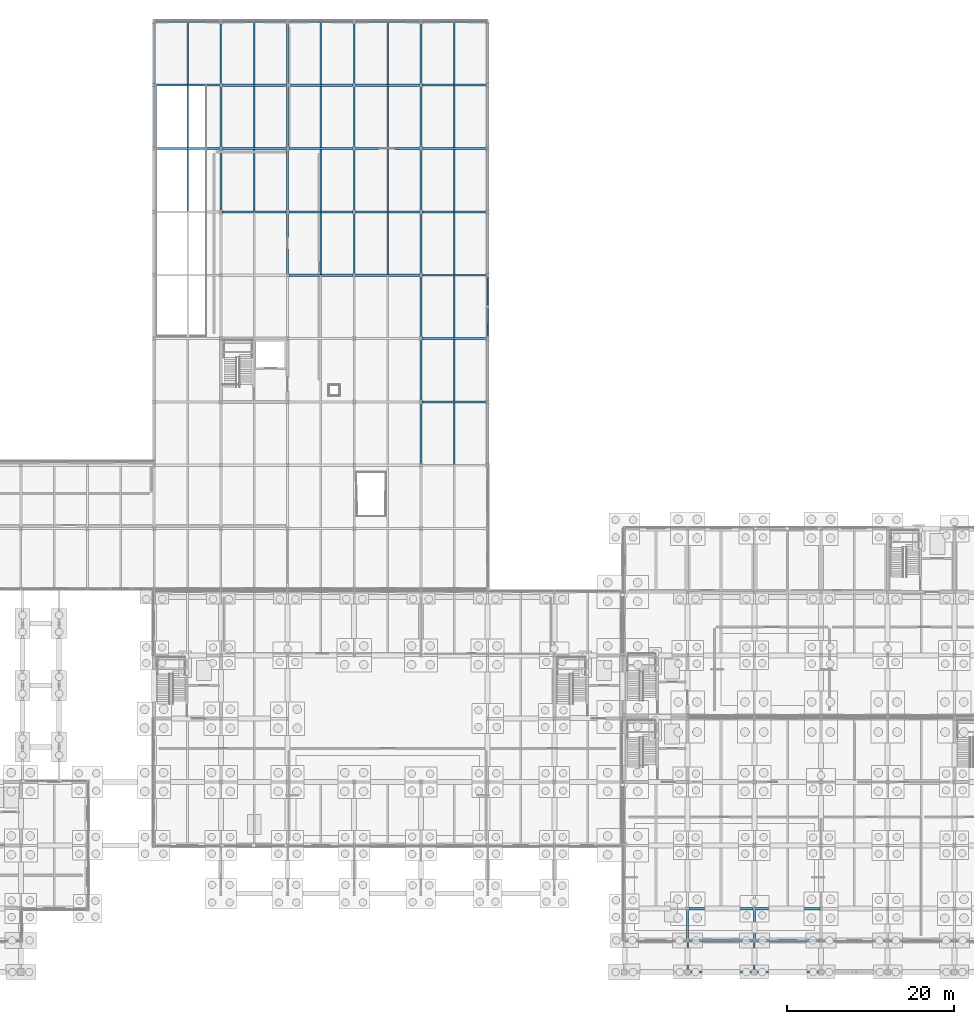
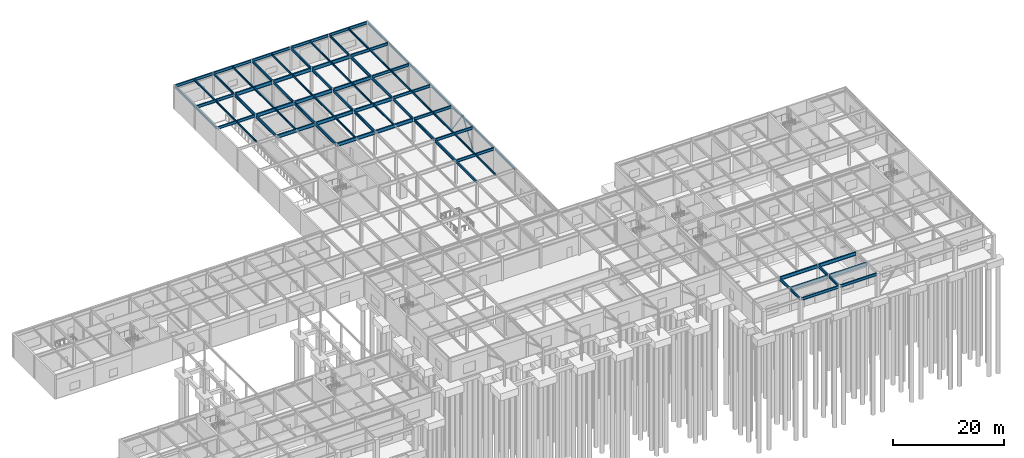
# One storey, part 32 of 62: 82 beams, 2 members.
"""IFC4 building model written with IfcOpenShell, lengths in metres."""

from ifc_helpers import new_model, si_unit, direction, frame, origin, origin_2d, place, context, subcontext, project, spatial, hollow_rectangle, i_section, extrude, material, material_profile, profile_set, type_object, element, save


model = new_model("IFC4")

# Units and contexts
model_context = context("Model", 3, precision=1e-05, world=origin(), true_north=direction((0.0, 1.0)))
body_context = subcontext(model_context, "Body", "Model", "MODEL_VIEW")
ifc_project = project(units=[si_unit("LENGTHUNIT", "METRE"), si_unit("AREAUNIT", "SQUARE_METRE"), si_unit("VOLUMEUNIT", "CUBIC_METRE"), si_unit("PLANEANGLEUNIT", "RADIAN"), si_unit("MASSUNIT", "GRAM", prefix="KILO")], contexts=[model_context])

# Site, building, storey
site_placement = place(None, origin())
site = spatial("IfcSite", under=ifc_project, at=site_placement, CompositionType="ELEMENT")
building_placement = place(site_placement, origin())
building = spatial("IfcBuilding", under=site, at=building_placement, Name="Zulena Civic Courthouse", CompositionType="ELEMENT")
storey_placement = place(building_placement, origin())
storey = spatial("IfcBuildingStorey", under=building, at=storey_placement, Name="L00", CompositionType="ELEMENT", Elevation=0.0)

# Members
ifc_material_1 = material(Name="Steel ASTM A500 Grade C", Category="steel")
ifc_material_profile_1 = material_profile(ifc_material_1, hollow_rectangle(XDim=0.10205078125, YDim=0.202880859375, WallThickness=0.0087890625, at=origin_2d()), Name="HSS8X4X3/8")
ifc_profile_set_1 = profile_set([ifc_material_profile_1], Name="Steel ASTM A500 Grade C")
member_type = type_object("IfcMemberType", Name="Brace_HSS8X4", PredefinedType="BRACE", material=ifc_profile_set_1)
for number, where, z_axis, x_axis, name in (
    (1, (108.0, 76.14990234375, 0.010009765625), (0.0, 0.572945911221, 0.819593181289), (-1.0, 0.0, 0.0), "brace:V5:L00:6:0"),
    (2, (108.0, 83.449951171875, 0.010009765625), (0.0, -0.572919810616, 0.819611426594), (1.0, 0.0, 0.0), "brace:V5:L00:6:1"),
):
    element("IfcMember", number, at=place(storey_placement, frame(where, z_axis=z_axis, x_axis=x_axis)), inside=storey, type_object=member_type, Name=name, PredefinedType="BRACE", context=body_context, shape_type="SweptSolid", body=[
        extrude(hollow_rectangle(XDim=0.10205078125, YDim=0.202880859375, WallThickness=0.0087890625, at=origin_2d()), origin(), (0.0, 0.0, 1.0), 6.283447265625),
    ])

# Beams
ifc_material_2 = material(Name="Steel ASTM A992 Grade 50", Category="steel")
ifc_material_profile_2 = material_profile(ifc_material_2, i_section(OverallWidth=0.22802734375, OverallDepth=0.60693359375, WebThickness=0.01123046875, FlangeThickness=0.017333984375, FilletRadius=0.0126953125, at=origin_2d()), Name="W24X76")
ifc_profile_set_2 = profile_set([ifc_material_profile_2], Name="Steel ASTM A992 Grade 50")
beam_type_1 = type_object("IfcBeamType", Name="Girder_W24X76", PredefinedType="BEAM", material=ifc_profile_set_2)
beam_1_placement = place(storey_placement, frame((76.0, 91.344970703125, 4.881591796875), z_axis=(0.0, 1.0, 0.0), x_axis=(-1.0, 0.0, 0.0)))
element("IfcBeam", 3, at=beam_1_placement, inside=storey, type_object=beam_type_1, Name="beam:Y:V5:L00:76.0:91.2_98.8", PredefinedType="BEAM", context=body_context, shape_type="SweptSolid", body=[
    extrude(i_section(OverallWidth=0.22802734375, OverallDepth=0.60693359375, WebThickness=0.01123046875, FlangeThickness=0.017333984375, FilletRadius=0.0126953125, at=origin_2d()), origin(), (0.0, 0.0, 1.0), 7.31005859375),
])
for number, where, z_axis, x_axis, name in (
    (4, (76.0, 98.945068359375, 4.881591796875), (0.0, 1.0, 0.0), (-1.0, 0.0, 0.0), "beam:Y:V5:L00:76.0:98.8_106.4"),
    (5, (84.0, 83.7451171875, 4.881591796875), (0.0, 1.0, 0.0), (-1.0, 0.0, 0.0), "beam:Y:V5:L00:84.0:83.6_91.2"),
):
    element("IfcBeam", number, at=place(storey_placement, frame(where, z_axis=z_axis, x_axis=x_axis)), inside=storey, type_object=beam_type_1, Name=name, PredefinedType="BEAM", context=body_context, shape_type="SweptSolid", body=[
        extrude(i_section(OverallWidth=0.22802734375, OverallDepth=0.60693359375, WebThickness=0.01123046875, FlangeThickness=0.017333984375, FilletRadius=0.0126953125, at=origin_2d()), origin(), (0.0, 0.0, 1.0), 7.309814453125),
    ])
beam_2_placement = place(storey_placement, frame((84.0, 91.344970703125, 4.881591796875), z_axis=(0.0, 1.0, 0.0), x_axis=(-1.0, 0.0, 0.0)))
element("IfcBeam", 6, at=beam_2_placement, inside=storey, type_object=beam_type_1, Name="beam:Y:V5:L00:84.0:91.2_98.8", PredefinedType="BEAM", context=body_context, shape_type="SweptSolid", body=[
    extrude(i_section(OverallWidth=0.22802734375, OverallDepth=0.60693359375, WebThickness=0.01123046875, FlangeThickness=0.017333984375, FilletRadius=0.0126953125, at=origin_2d()), origin(), (0.0, 0.0, 1.0), 7.31005859375),
])
for number, where, z_axis, x_axis, name in (
    (7, (84.0, 98.945068359375, 4.881591796875), (0.0, 1.0, 0.0), (-1.0, 0.0, 0.0), "beam:Y:V5:L00:84.0:98.8_106.4"),
    (8, (92.0, 83.7451171875, 4.881591796875), (0.0, 1.0, 0.0), (-1.0, 0.0, 0.0), "beam:Y:V5:L00:92.0:83.6_91.2"),
):
    element("IfcBeam", number, at=place(storey_placement, frame(where, z_axis=z_axis, x_axis=x_axis)), inside=storey, type_object=beam_type_1, Name=name, PredefinedType="BEAM", context=body_context, shape_type="SweptSolid", body=[
        extrude(i_section(OverallWidth=0.22802734375, OverallDepth=0.60693359375, WebThickness=0.01123046875, FlangeThickness=0.017333984375, FilletRadius=0.0126953125, at=origin_2d()), origin(), (0.0, 0.0, 1.0), 7.309814453125),
    ])
beam_3_placement = place(storey_placement, frame((92.0, 91.344970703125, 4.881591796875), z_axis=(0.0, 1.0, 0.0), x_axis=(-1.0, 0.0, 0.0)))
element("IfcBeam", 9, at=beam_3_placement, inside=storey, type_object=beam_type_1, Name="beam:Y:V5:L00:92.0:91.2_98.8", PredefinedType="BEAM", context=body_context, shape_type="SweptSolid", body=[
    extrude(i_section(OverallWidth=0.22802734375, OverallDepth=0.60693359375, WebThickness=0.01123046875, FlangeThickness=0.017333984375, FilletRadius=0.0126953125, at=origin_2d()), origin(), (0.0, 0.0, 1.0), 7.31005859375),
])
for number, where, z_axis, x_axis, name in (
    (10, (92.0, 98.945068359375, 4.881591796875), (0.0, 1.0, 0.0), (-1.0, 0.0, 0.0), "beam:Y:V5:L00:92.0:98.8_106.4"),
    (11, (100.0, 60.945068359375, 4.881591796875), (0.0, 1.0, 0.0), (-1.0, 0.0, 0.0), "beam:Y:V5:L00:100.0:60.8_68.4"),
):
    element("IfcBeam", number, at=place(storey_placement, frame(where, z_axis=z_axis, x_axis=x_axis)), inside=storey, type_object=beam_type_1, Name=name, PredefinedType="BEAM", context=body_context, shape_type="SweptSolid", body=[
        extrude(i_section(OverallWidth=0.22802734375, OverallDepth=0.60693359375, WebThickness=0.01123046875, FlangeThickness=0.017333984375, FilletRadius=0.0126953125, at=origin_2d()), origin(), (0.0, 0.0, 1.0), 7.309814453125),
    ])
for number, where, z_axis, x_axis, name in (
    (12, (100.0, 68.544921875, 4.881591796875), (0.0, 1.0, 0.0), (-1.0, 0.0, 0.0), "beam:Y:V5:L00:100.0:68.4_76.0"),
    (13, (100.0, 76.14501953125, 4.881591796875), (0.0, 1.0, 0.0), (-1.0, 0.0, 0.0), "beam:Y:V5:L00:100.0:76.0_83.6"),
):
    element("IfcBeam", number, at=place(storey_placement, frame(where, z_axis=z_axis, x_axis=x_axis)), inside=storey, type_object=beam_type_1, Name=name, PredefinedType="BEAM", context=body_context, shape_type="SweptSolid", body=[
        extrude(i_section(OverallWidth=0.22802734375, OverallDepth=0.60693359375, WebThickness=0.01123046875, FlangeThickness=0.017333984375, FilletRadius=0.0126953125, at=origin_2d()), origin(), (0.0, 0.0, 1.0), 7.31005859375),
    ])
beam_4_placement = place(storey_placement, frame((100.0, 83.7451171875, 4.881591796875), z_axis=(0.0, 1.0, 0.0), x_axis=(-1.0, 0.0, 0.0)))
element("IfcBeam", 14, at=beam_4_placement, inside=storey, type_object=beam_type_1, Name="beam:Y:V5:L00:100.0:83.6_91.2", PredefinedType="BEAM", context=body_context, shape_type="SweptSolid", body=[
    extrude(i_section(OverallWidth=0.22802734375, OverallDepth=0.60693359375, WebThickness=0.01123046875, FlangeThickness=0.017333984375, FilletRadius=0.0126953125, at=origin_2d()), origin(), (0.0, 0.0, 1.0), 7.309814453125),
])
beam_5_placement = place(storey_placement, frame((100.0, 91.344970703125, 4.881591796875), z_axis=(0.0, 1.0, 0.0), x_axis=(-1.0, 0.0, 0.0)))
element("IfcBeam", 15, at=beam_5_placement, inside=storey, type_object=beam_type_1, Name="beam:Y:V5:L00:100.0:91.2_98.8", PredefinedType="BEAM", context=body_context, shape_type="SweptSolid", body=[
    extrude(i_section(OverallWidth=0.22802734375, OverallDepth=0.60693359375, WebThickness=0.01123046875, FlangeThickness=0.017333984375, FilletRadius=0.0126953125, at=origin_2d()), origin(), (0.0, 0.0, 1.0), 7.31005859375),
])
beam_6_placement = place(storey_placement, frame((100.0, 98.945068359375, 4.881591796875), z_axis=(0.0, 1.0, 0.0), x_axis=(-1.0, 0.0, 0.0)))
element("IfcBeam", 16, at=beam_6_placement, inside=storey, type_object=beam_type_1, Name="beam:Y:V5:L00:100.0:98.8_106.4", PredefinedType="BEAM", context=body_context, shape_type="SweptSolid", body=[
    extrude(i_section(OverallWidth=0.22802734375, OverallDepth=0.60693359375, WebThickness=0.01123046875, FlangeThickness=0.017333984375, FilletRadius=0.0126953125, at=origin_2d()), origin(), (0.0, 0.0, 1.0), 7.309814453125),
])
ifc_material_profile_3 = material_profile(ifc_material_2, i_section(OverallWidth=0.22998046875, OverallDepth=0.616943359375, WebThickness=0.01318359375, FlangeThickness=0.022216796875, FilletRadius=0.0126953125, at=origin_2d()), Name="W24X94")
ifc_profile_set_3 = profile_set([ifc_material_profile_3], Name="Steel ASTM A992 Grade 50")
beam_type_2 = type_object("IfcBeamType", Name="Girder_W24X94", PredefinedType="BEAM", material=ifc_profile_set_3)
for number, where, z_axis, x_axis, name in (
    (17, (132.0, 3.945068359375, 4.87646484375), (0.0, 1.0, 0.0), (-1.0, 0.0, 0.0), "beam:Y:V1:L00:132.0:3.8_7.6"),
    (18, (140.0, 3.945068359375, 4.87646484375), (0.0, 1.0, 0.0), (-1.0, 0.0, 0.0), "beam:Y:V1:L00:140.0:3.8_7.6"),
):
    element("IfcBeam", number, at=place(storey_placement, frame(where, z_axis=z_axis, x_axis=x_axis)), inside=storey, type_object=beam_type_2, Name=name, PredefinedType="BEAM", context=body_context, shape_type="SweptSolid", body=[
        extrude(i_section(OverallWidth=0.22998046875, OverallDepth=0.616943359375, WebThickness=0.01318359375, FlangeThickness=0.022216796875, FilletRadius=0.0126953125, at=origin_2d()), origin(), (0.0, 0.0, 1.0), 3.510009765625),
    ])
ifc_material_profile_4 = material_profile(ifc_material_2, i_section(OverallWidth=0.26708984375, OverallDepth=0.761962890625, WebThickness=0.014404296875, FlangeThickness=0.021484375, FilletRadius=0.0166015625, at=origin_2d()), Name="W30X116")
ifc_profile_set_4 = profile_set([ifc_material_profile_4], Name="Steel ASTM A992 Grade 50")
beam_type_3 = type_object("IfcBeamType", Name="Girder_W30X116", PredefinedType="BEAM", material=ifc_profile_set_4)
for number, where, z_axis, x_axis, name in (
    (19, (84.14501953125, 83.60009765625, 4.803955078125), (1.0, 0.0, 0.0), (0.0, 1.0, 0.0), "beam:X:V5:L00:83.6:84.0_92.0"),
    (20, (92.14501953125, 83.60009765625, 4.803955078125), (1.0, 0.0, 0.0), (0.0, 1.0, 0.0), "beam:X:V5:L00:83.6:92.0_100.0"),
    (21, (76.14501953125, 91.199951171875, 4.803955078125), (1.0, 0.0, 0.0), (0.0, 1.0, 0.0), "beam:X:V5:L00:91.2:76.0_84.0"),
    (22, (84.14501953125, 91.199951171875, 4.803955078125), (1.0, 0.0, 0.0), (0.0, 1.0, 0.0), "beam:X:V5:L00:91.2:84.0_92.0"),
    (23, (92.14501953125, 91.199951171875, 4.803955078125), (1.0, 0.0, 0.0), (0.0, 1.0, 0.0), "beam:X:V5:L00:91.2:92.0_100.0"),
    (24, (76.14501953125, 98.800048828125, 4.803955078125), (1.0, 0.0, 0.0), (0.0, 1.0, 0.0), "beam:X:V5:L00:98.8:76.0_84.0"),
    (25, (84.14501953125, 98.800048828125, 4.803955078125), (1.0, 0.0, 0.0), (0.0, 1.0, 0.0), "beam:X:V5:L00:98.8:84.0_92.0"),
    (26, (92.14501953125, 98.800048828125, 4.803955078125), (1.0, 0.0, 0.0), (0.0, 1.0, 0.0), "beam:X:V5:L00:98.8:92.0_100.0"),
    (27, (76.14501953125, 106.39990234375, 4.803955078125), (1.0, 0.0, 0.0), (0.0, 1.0, 0.0), "beam:X:V5:L00:106.4:76.0_84.0"),
    (28, (84.14501953125, 106.39990234375, 4.803955078125), (1.0, 0.0, 0.0), (0.0, 1.0, 0.0), "beam:X:V5:L00:106.4:84.0_92.0"),
    (29, (92.14501953125, 106.39990234375, 4.803955078125), (1.0, 0.0, 0.0), (0.0, 1.0, 0.0), "beam:X:V5:L00:106.4:92.0_100.0"),
):
    element("IfcBeam", number, at=place(storey_placement, frame(where, z_axis=z_axis, x_axis=x_axis)), inside=storey, type_object=beam_type_3, Name=name, PredefinedType="BEAM", context=body_context, shape_type="SweptSolid", body=[
        extrude(i_section(OverallWidth=0.26708984375, OverallDepth=0.761962890625, WebThickness=0.014404296875, FlangeThickness=0.021484375, FilletRadius=0.0166015625, at=origin_2d()), origin(), (0.0, 0.0, 1.0), 7.7099609375),
    ])
ifc_material_profile_5 = material_profile(ifc_material_2, i_section(OverallWidth=0.26611328125, OverallDepth=0.779052734375, WebThickness=0.0166015625, FlangeThickness=0.030029296875, FilletRadius=0.0166015625, at=origin_2d()), Name="W30X148")
ifc_profile_set_5 = profile_set([ifc_material_profile_5], Name="Steel ASTM A992 Grade 50")
beam_type_4 = type_object("IfcBeamType", Name="Girder_W30X148", PredefinedType="BEAM", material=ifc_profile_set_5)
for number, where, z_axis, x_axis, name in (
    (30, (132.14501953125, 3.800048828125, 4.79541015625), (1.0, 0.0, 0.0), (0.0, 1.0, 0.0), "beam:X:V1:L00:3.8:132.0_140.0"),
    (31, (140.14501953125, 3.800048828125, 4.79541015625), (1.0, 0.0, 0.0), (0.0, 1.0, 0.0), "beam:X:V1:L00:3.8:140.0_148.0"),
    (32, (132.14501953125, 7.60009765625, 4.79541015625), (1.0, 0.0, 0.0), (0.0, 1.0, 0.0), "beam:X:V1:L00:7.6:132.0_140.0"),
    (33, (140.14501953125, 7.60009765625, 4.79541015625), (1.0, 0.0, 0.0), (0.0, 1.0, 0.0), "beam:X:V1:L00:7.6:140.0_148.0"),
):
    element("IfcBeam", number, at=place(storey_placement, frame(where, z_axis=z_axis, x_axis=x_axis)), inside=storey, type_object=beam_type_4, Name=name, PredefinedType="BEAM", context=body_context, shape_type="SweptSolid", body=[
        extrude(i_section(OverallWidth=0.26611328125, OverallDepth=0.779052734375, WebThickness=0.0166015625, FlangeThickness=0.030029296875, FilletRadius=0.0166015625, at=origin_2d()), origin(), (0.0, 0.0, 1.0), 7.7099609375),
    ])
ifc_material_profile_6 = material_profile(ifc_material_2, i_section(OverallWidth=0.180908203125, OverallDepth=0.4169921875, WebThickness=0.010986328125, FlangeThickness=0.018310546875, FilletRadius=0.01025390625, at=origin_2d()), Name="W16X57")
ifc_profile_set_6 = profile_set([ifc_material_profile_6], Name="Steel ASTM A992 Grade 50")
beam_type_5 = type_object("IfcBeamType", Name="Joist_W16X57", PredefinedType="JOIST", material=ifc_profile_set_6)
beam_7_placement = place(storey_placement, frame((72.0, 91.304931640625, 4.9765625), z_axis=(0.0, 1.0, 0.0), x_axis=(-1.0, 0.0, 0.0)))
element("IfcBeam", 34, at=beam_7_placement, inside=storey, type_object=beam_type_5, Name="joist:V5:L00:72.00:91.2_98.8", PredefinedType="JOIST", context=body_context, shape_type="SweptSolid", body=[
    extrude(i_section(OverallWidth=0.180908203125, OverallDepth=0.4169921875, WebThickness=0.010986328125, FlangeThickness=0.018310546875, FilletRadius=0.01025390625, at=origin_2d()), origin(), (0.0, 0.0, 1.0), 7.39013671875),
])
beam_8_placement = place(storey_placement, frame((72.0, 98.905029296875, 4.9765625), z_axis=(0.0, 1.0, 0.0), x_axis=(-1.0, 0.0, 0.0)))
element("IfcBeam", 35, at=beam_8_placement, inside=storey, type_object=beam_type_5, Name="joist:V5:L00:72.00:98.8_106.4", PredefinedType="JOIST", context=body_context, shape_type="SweptSolid", body=[
    extrude(i_section(OverallWidth=0.180908203125, OverallDepth=0.4169921875, WebThickness=0.010986328125, FlangeThickness=0.018310546875, FilletRadius=0.01025390625, at=origin_2d()), origin(), (0.0, 0.0, 1.0), 7.389892578125),
])
for number, where, z_axis, x_axis, name in (
    (36, (72.0, 106.5048828125, 4.9765625), (0.0, 1.0, 0.0), (-1.0, 0.0, 0.0), "joist:V5:L00:72.00:106.4_114.0"),
    (37, (80.0, 91.304931640625, 4.9765625), (0.0, 1.0, 0.0), (-1.0, 0.0, 0.0), "joist:V5:L00:80.00:91.2_98.8"),
):
    element("IfcBeam", number, at=place(storey_placement, frame(where, z_axis=z_axis, x_axis=x_axis)), inside=storey, type_object=beam_type_5, Name=name, PredefinedType="JOIST", context=body_context, shape_type="SweptSolid", body=[
        extrude(i_section(OverallWidth=0.180908203125, OverallDepth=0.4169921875, WebThickness=0.010986328125, FlangeThickness=0.018310546875, FilletRadius=0.01025390625, at=origin_2d()), origin(), (0.0, 0.0, 1.0), 7.39013671875),
    ])
beam_9_placement = place(storey_placement, frame((80.0, 98.905029296875, 4.9765625), z_axis=(0.0, 1.0, 0.0), x_axis=(-1.0, 0.0, 0.0)))
element("IfcBeam", 38, at=beam_9_placement, inside=storey, type_object=beam_type_5, Name="joist:V5:L00:80.00:98.8_106.4", PredefinedType="JOIST", context=body_context, shape_type="SweptSolid", body=[
    extrude(i_section(OverallWidth=0.180908203125, OverallDepth=0.4169921875, WebThickness=0.010986328125, FlangeThickness=0.018310546875, FilletRadius=0.01025390625, at=origin_2d()), origin(), (0.0, 0.0, 1.0), 7.389892578125),
])
beam_10_placement = place(storey_placement, frame((80.0, 106.5048828125, 4.9765625), z_axis=(0.0, 1.0, 0.0), x_axis=(-1.0, 0.0, 0.0)))
element("IfcBeam", 39, at=beam_10_placement, inside=storey, type_object=beam_type_5, Name="joist:V5:L00:80.00:106.4_114.0", PredefinedType="JOIST", context=body_context, shape_type="SweptSolid", body=[
    extrude(i_section(OverallWidth=0.180908203125, OverallDepth=0.4169921875, WebThickness=0.010986328125, FlangeThickness=0.018310546875, FilletRadius=0.01025390625, at=origin_2d()), origin(), (0.0, 0.0, 1.0), 7.39013671875),
])
beam_11_placement = place(storey_placement, frame((88.0, 83.705078125, 4.9765625), z_axis=(0.0, 1.0, 0.0), x_axis=(-1.0, 0.0, 0.0)))
element("IfcBeam", 40, at=beam_11_placement, inside=storey, type_object=beam_type_5, Name="joist:V5:L00:88.00:83.6_91.2", PredefinedType="JOIST", context=body_context, shape_type="SweptSolid", body=[
    extrude(i_section(OverallWidth=0.180908203125, OverallDepth=0.4169921875, WebThickness=0.010986328125, FlangeThickness=0.018310546875, FilletRadius=0.01025390625, at=origin_2d()), origin(), (0.0, 0.0, 1.0), 7.389892578125),
])
beam_12_placement = place(storey_placement, frame((88.0, 91.304931640625, 4.9765625), z_axis=(0.0, 1.0, 0.0), x_axis=(-1.0, 0.0, 0.0)))
element("IfcBeam", 41, at=beam_12_placement, inside=storey, type_object=beam_type_5, Name="joist:V5:L00:88.00:91.2_98.8", PredefinedType="JOIST", context=body_context, shape_type="SweptSolid", body=[
    extrude(i_section(OverallWidth=0.180908203125, OverallDepth=0.4169921875, WebThickness=0.010986328125, FlangeThickness=0.018310546875, FilletRadius=0.01025390625, at=origin_2d()), origin(), (0.0, 0.0, 1.0), 7.39013671875),
])
beam_13_placement = place(storey_placement, frame((88.0, 98.905029296875, 4.9765625), z_axis=(0.0, 1.0, 0.0), x_axis=(-1.0, 0.0, 0.0)))
element("IfcBeam", 42, at=beam_13_placement, inside=storey, type_object=beam_type_5, Name="joist:V5:L00:88.00:98.8_106.4", PredefinedType="JOIST", context=body_context, shape_type="SweptSolid", body=[
    extrude(i_section(OverallWidth=0.180908203125, OverallDepth=0.4169921875, WebThickness=0.010986328125, FlangeThickness=0.018310546875, FilletRadius=0.01025390625, at=origin_2d()), origin(), (0.0, 0.0, 1.0), 7.389892578125),
])
beam_14_placement = place(storey_placement, frame((88.0, 106.5048828125, 4.9765625), z_axis=(0.0, 1.0, 0.0), x_axis=(-1.0, 0.0, 0.0)))
element("IfcBeam", 43, at=beam_14_placement, inside=storey, type_object=beam_type_5, Name="joist:V5:L00:88.00:106.4_114.0", PredefinedType="JOIST", context=body_context, shape_type="SweptSolid", body=[
    extrude(i_section(OverallWidth=0.180908203125, OverallDepth=0.4169921875, WebThickness=0.010986328125, FlangeThickness=0.018310546875, FilletRadius=0.01025390625, at=origin_2d()), origin(), (0.0, 0.0, 1.0), 7.39013671875),
])
beam_15_placement = place(storey_placement, frame((96.0, 83.705078125, 4.9765625), z_axis=(0.0, 1.0, 0.0), x_axis=(-1.0, 0.0, 0.0)))
element("IfcBeam", 44, at=beam_15_placement, inside=storey, type_object=beam_type_5, Name="joist:V5:L00:96.00:83.6_91.2", PredefinedType="JOIST", context=body_context, shape_type="SweptSolid", body=[
    extrude(i_section(OverallWidth=0.180908203125, OverallDepth=0.4169921875, WebThickness=0.010986328125, FlangeThickness=0.018310546875, FilletRadius=0.01025390625, at=origin_2d()), origin(), (0.0, 0.0, 1.0), 7.389892578125),
])
beam_16_placement = place(storey_placement, frame((96.0, 91.304931640625, 4.9765625), z_axis=(0.0, 1.0, 0.0), x_axis=(-1.0, 0.0, 0.0)))
element("IfcBeam", 45, at=beam_16_placement, inside=storey, type_object=beam_type_5, Name="joist:V5:L00:96.00:91.2_98.8", PredefinedType="JOIST", context=body_context, shape_type="SweptSolid", body=[
    extrude(i_section(OverallWidth=0.180908203125, OverallDepth=0.4169921875, WebThickness=0.010986328125, FlangeThickness=0.018310546875, FilletRadius=0.01025390625, at=origin_2d()), origin(), (0.0, 0.0, 1.0), 7.39013671875),
])
beam_17_placement = place(storey_placement, frame((96.0, 98.905029296875, 4.9765625), z_axis=(0.0, 1.0, 0.0), x_axis=(-1.0, 0.0, 0.0)))
element("IfcBeam", 46, at=beam_17_placement, inside=storey, type_object=beam_type_5, Name="joist:V5:L00:96.00:98.8_106.4", PredefinedType="JOIST", context=body_context, shape_type="SweptSolid", body=[
    extrude(i_section(OverallWidth=0.180908203125, OverallDepth=0.4169921875, WebThickness=0.010986328125, FlangeThickness=0.018310546875, FilletRadius=0.01025390625, at=origin_2d()), origin(), (0.0, 0.0, 1.0), 7.389892578125),
])
beam_18_placement = place(storey_placement, frame((96.0, 106.5048828125, 4.9765625), z_axis=(0.0, 1.0, 0.0), x_axis=(-1.0, 0.0, 0.0)))
element("IfcBeam", 47, at=beam_18_placement, inside=storey, type_object=beam_type_5, Name="joist:V5:L00:96.00:106.4_114.0", PredefinedType="JOIST", context=body_context, shape_type="SweptSolid", body=[
    extrude(i_section(OverallWidth=0.180908203125, OverallDepth=0.4169921875, WebThickness=0.010986328125, FlangeThickness=0.018310546875, FilletRadius=0.01025390625, at=origin_2d()), origin(), (0.0, 0.0, 1.0), 7.39013671875),
])
beam_19_placement = place(storey_placement, frame((104.0, 60.905029296875, 4.9765625), z_axis=(0.0, 1.0, 0.0), x_axis=(-1.0, 0.0, 0.0)))
element("IfcBeam", 48, at=beam_19_placement, inside=storey, type_object=beam_type_5, Name="joist:V5:L00:104.00:60.8_68.4", PredefinedType="JOIST", context=body_context, shape_type="SweptSolid", body=[
    extrude(i_section(OverallWidth=0.180908203125, OverallDepth=0.4169921875, WebThickness=0.010986328125, FlangeThickness=0.018310546875, FilletRadius=0.01025390625, at=origin_2d()), origin(), (0.0, 0.0, 1.0), 7.389892578125),
])
for number, where, z_axis, x_axis, name in (
    (49, (104.0, 68.5048828125, 4.9765625), (0.0, 1.0, 0.0), (-1.0, 0.0, 0.0), "joist:V5:L00:104.00:68.4_76.0"),
    (50, (104.0, 76.10498046875, 4.9765625), (0.0, 1.0, 0.0), (-1.0, 0.0, 0.0), "joist:V5:L00:104.00:76.0_83.6"),
):
    element("IfcBeam", number, at=place(storey_placement, frame(where, z_axis=z_axis, x_axis=x_axis)), inside=storey, type_object=beam_type_5, Name=name, PredefinedType="JOIST", context=body_context, shape_type="SweptSolid", body=[
        extrude(i_section(OverallWidth=0.180908203125, OverallDepth=0.4169921875, WebThickness=0.010986328125, FlangeThickness=0.018310546875, FilletRadius=0.01025390625, at=origin_2d()), origin(), (0.0, 0.0, 1.0), 7.39013671875),
    ])
beam_20_placement = place(storey_placement, frame((104.0, 83.705078125, 4.9765625), z_axis=(0.0, 1.0, 0.0), x_axis=(-1.0, 0.0, 0.0)))
element("IfcBeam", 51, at=beam_20_placement, inside=storey, type_object=beam_type_5, Name="joist:V5:L00:104.00:83.6_91.2", PredefinedType="JOIST", context=body_context, shape_type="SweptSolid", body=[
    extrude(i_section(OverallWidth=0.180908203125, OverallDepth=0.4169921875, WebThickness=0.010986328125, FlangeThickness=0.018310546875, FilletRadius=0.01025390625, at=origin_2d()), origin(), (0.0, 0.0, 1.0), 7.389892578125),
])
beam_21_placement = place(storey_placement, frame((104.0, 91.304931640625, 4.9765625), z_axis=(0.0, 1.0, 0.0), x_axis=(-1.0, 0.0, 0.0)))
element("IfcBeam", 52, at=beam_21_placement, inside=storey, type_object=beam_type_5, Name="joist:V5:L00:104.00:91.2_98.8", PredefinedType="JOIST", context=body_context, shape_type="SweptSolid", body=[
    extrude(i_section(OverallWidth=0.180908203125, OverallDepth=0.4169921875, WebThickness=0.010986328125, FlangeThickness=0.018310546875, FilletRadius=0.01025390625, at=origin_2d()), origin(), (0.0, 0.0, 1.0), 7.39013671875),
])
beam_22_placement = place(storey_placement, frame((104.0, 98.905029296875, 4.9765625), z_axis=(0.0, 1.0, 0.0), x_axis=(-1.0, 0.0, 0.0)))
element("IfcBeam", 53, at=beam_22_placement, inside=storey, type_object=beam_type_5, Name="joist:V5:L00:104.00:98.8_106.4", PredefinedType="JOIST", context=body_context, shape_type="SweptSolid", body=[
    extrude(i_section(OverallWidth=0.180908203125, OverallDepth=0.4169921875, WebThickness=0.010986328125, FlangeThickness=0.018310546875, FilletRadius=0.01025390625, at=origin_2d()), origin(), (0.0, 0.0, 1.0), 7.389892578125),
])
beam_23_placement = place(storey_placement, frame((104.0, 106.5048828125, 4.9765625), z_axis=(0.0, 1.0, 0.0), x_axis=(-1.0, 0.0, 0.0)))
element("IfcBeam", 54, at=beam_23_placement, inside=storey, type_object=beam_type_5, Name="joist:V5:L00:104.00:106.4_114.0", PredefinedType="JOIST", context=body_context, shape_type="SweptSolid", body=[
    extrude(i_section(OverallWidth=0.180908203125, OverallDepth=0.4169921875, WebThickness=0.010986328125, FlangeThickness=0.018310546875, FilletRadius=0.01025390625, at=origin_2d()), origin(), (0.0, 0.0, 1.0), 7.39013671875),
])
ifc_material_profile_7 = material_profile(ifc_material_2, i_section(OverallWidth=0.2099609375, OverallDepth=0.537109375, WebThickness=0.010986328125, FlangeThickness=0.017333984375, FilletRadius=0.0126953125, at=origin_2d()), Name="W21X68")
ifc_profile_set_7 = profile_set([ifc_material_profile_7], Name="Steel ASTM A992 Grade 50")
beam_type_6 = type_object("IfcBeamType", Name="Spandrel_W21X68", PredefinedType="SPANDREL", material=ifc_profile_set_7)
for number, where, z_axis, x_axis, name in (
    (55, (132.0, 0.14501953125, 4.91650390625), (0.0, 1.0, 0.0), (-1.0, 0.0, 0.0), "beam:Y:V1:L00:132.0:0.0_3.8"),
    (56, (140.0, 0.14501953125, 4.91650390625), (0.0, 1.0, 0.0), (-1.0, 0.0, 0.0), "beam:Y:V1:L00:140.0:0.0_3.8"),
):
    element("IfcBeam", number, at=place(storey_placement, frame(where, z_axis=z_axis, x_axis=x_axis)), inside=storey, type_object=beam_type_6, Name=name, PredefinedType="SPANDREL", context=body_context, shape_type="SweptSolid", body=[
        extrude(i_section(OverallWidth=0.2099609375, OverallDepth=0.537109375, WebThickness=0.010986328125, FlangeThickness=0.017333984375, FilletRadius=0.0126953125, at=origin_2d()), origin(), (0.0, 0.0, 1.0), 3.510009765625),
    ])
beam_24_placement = place(storey_placement, frame((68.0, 98.945068359375, 4.91650390625), z_axis=(0.0, 1.0, 0.0), x_axis=(-1.0, 0.0, 0.0)))
element("IfcBeam", 57, at=beam_24_placement, inside=storey, type_object=beam_type_6, Name="beam:Y:V5:L00:68.0:98.8_106.4", PredefinedType="SPANDREL", context=body_context, shape_type="SweptSolid", body=[
    extrude(i_section(OverallWidth=0.2099609375, OverallDepth=0.537109375, WebThickness=0.010986328125, FlangeThickness=0.017333984375, FilletRadius=0.0126953125, at=origin_2d()), origin(), (0.0, 0.0, 1.0), 7.309814453125),
])
for number, where, z_axis, x_axis, name in (
    (58, (68.0, 106.544921875, 4.91650390625), (0.0, 1.0, 0.0), (-1.0, 0.0, 0.0), "beam:Y:V5:L00:68.0:106.4_114.0"),
    (59, (76.0, 106.544921875, 4.91650390625), (0.0, 1.0, 0.0), (-1.0, 0.0, 0.0), "beam:Y:V5:L00:76.0:106.4_114.0"),
    (60, (84.0, 106.544921875, 4.91650390625), (0.0, 1.0, 0.0), (-1.0, 0.0, 0.0), "beam:Y:V5:L00:84.0:106.4_114.0"),
    (61, (92.0, 106.544921875, 4.91650390625), (0.0, 1.0, 0.0), (-1.0, 0.0, 0.0), "beam:Y:V5:L00:92.0:106.4_114.0"),
    (62, (100.0, 106.544921875, 4.91650390625), (0.0, 1.0, 0.0), (-1.0, 0.0, 0.0), "beam:Y:V5:L00:100.0:106.4_114.0"),
):
    element("IfcBeam", number, at=place(storey_placement, frame(where, z_axis=z_axis, x_axis=x_axis)), inside=storey, type_object=beam_type_6, Name=name, PredefinedType="SPANDREL", context=body_context, shape_type="SweptSolid", body=[
        extrude(i_section(OverallWidth=0.2099609375, OverallDepth=0.537109375, WebThickness=0.010986328125, FlangeThickness=0.017333984375, FilletRadius=0.0126953125, at=origin_2d()), origin(), (0.0, 0.0, 1.0), 7.31005859375),
    ])
beam_25_placement = place(storey_placement, frame((108.0, 60.945068359375, 4.91650390625), z_axis=(0.0, 1.0, 0.0), x_axis=(-1.0, 0.0, 0.0)))
element("IfcBeam", 63, at=beam_25_placement, inside=storey, type_object=beam_type_6, Name="beam:Y:V5:L00:108.0:60.8_68.4", PredefinedType="SPANDREL", context=body_context, shape_type="SweptSolid", body=[
    extrude(i_section(OverallWidth=0.2099609375, OverallDepth=0.537109375, WebThickness=0.010986328125, FlangeThickness=0.017333984375, FilletRadius=0.0126953125, at=origin_2d()), origin(), (0.0, 0.0, 1.0), 7.309814453125),
])
for number, where, z_axis, x_axis, name in (
    (64, (108.0, 68.544921875, 4.91650390625), (0.0, 1.0, 0.0), (-1.0, 0.0, 0.0), "beam:Y:V5:L00:108.0:68.4_76.0"),
    (65, (108.0, 76.14501953125, 4.91650390625), (0.0, 1.0, 0.0), (-1.0, 0.0, 0.0), "beam:Y:V5:L00:108.0:76.0_83.6"),
):
    element("IfcBeam", number, at=place(storey_placement, frame(where, z_axis=z_axis, x_axis=x_axis)), inside=storey, type_object=beam_type_6, Name=name, PredefinedType="SPANDREL", context=body_context, shape_type="SweptSolid", body=[
        extrude(i_section(OverallWidth=0.2099609375, OverallDepth=0.537109375, WebThickness=0.010986328125, FlangeThickness=0.017333984375, FilletRadius=0.0126953125, at=origin_2d()), origin(), (0.0, 0.0, 1.0), 7.31005859375),
    ])
beam_26_placement = place(storey_placement, frame((108.0, 83.7451171875, 4.91650390625), z_axis=(0.0, 1.0, 0.0), x_axis=(-1.0, 0.0, 0.0)))
element("IfcBeam", 66, at=beam_26_placement, inside=storey, type_object=beam_type_6, Name="beam:Y:V5:L00:108.0:83.6_91.2", PredefinedType="SPANDREL", context=body_context, shape_type="SweptSolid", body=[
    extrude(i_section(OverallWidth=0.2099609375, OverallDepth=0.537109375, WebThickness=0.010986328125, FlangeThickness=0.017333984375, FilletRadius=0.0126953125, at=origin_2d()), origin(), (0.0, 0.0, 1.0), 7.309814453125),
])
beam_27_placement = place(storey_placement, frame((108.0, 91.344970703125, 4.91650390625), z_axis=(0.0, 1.0, 0.0), x_axis=(-1.0, 0.0, 0.0)))
element("IfcBeam", 67, at=beam_27_placement, inside=storey, type_object=beam_type_6, Name="beam:Y:V5:L00:108.0:91.2_98.8", PredefinedType="SPANDREL", context=body_context, shape_type="SweptSolid", body=[
    extrude(i_section(OverallWidth=0.2099609375, OverallDepth=0.537109375, WebThickness=0.010986328125, FlangeThickness=0.017333984375, FilletRadius=0.0126953125, at=origin_2d()), origin(), (0.0, 0.0, 1.0), 7.31005859375),
])
beam_28_placement = place(storey_placement, frame((108.0, 98.945068359375, 4.91650390625), z_axis=(0.0, 1.0, 0.0), x_axis=(-1.0, 0.0, 0.0)))
element("IfcBeam", 68, at=beam_28_placement, inside=storey, type_object=beam_type_6, Name="beam:Y:V5:L00:108.0:98.8_106.4", PredefinedType="SPANDREL", context=body_context, shape_type="SweptSolid", body=[
    extrude(i_section(OverallWidth=0.2099609375, OverallDepth=0.537109375, WebThickness=0.010986328125, FlangeThickness=0.017333984375, FilletRadius=0.0126953125, at=origin_2d()), origin(), (0.0, 0.0, 1.0), 7.309814453125),
])
beam_29_placement = place(storey_placement, frame((108.0, 106.544921875, 4.91650390625), z_axis=(0.0, 1.0, 0.0), x_axis=(-1.0, 0.0, 0.0)))
element("IfcBeam", 69, at=beam_29_placement, inside=storey, type_object=beam_type_6, Name="beam:Y:V5:L00:108.0:106.4_114.0", PredefinedType="SPANDREL", context=body_context, shape_type="SweptSolid", body=[
    extrude(i_section(OverallWidth=0.2099609375, OverallDepth=0.537109375, WebThickness=0.010986328125, FlangeThickness=0.017333984375, FilletRadius=0.0126953125, at=origin_2d()), origin(), (0.0, 0.0, 1.0), 7.31005859375),
])
ifc_material_profile_8 = material_profile(ifc_material_2, i_section(OverallWidth=0.22998046875, OverallDepth=0.616943359375, WebThickness=0.01318359375, FlangeThickness=0.022216796875, FilletRadius=0.0126953125, at=origin_2d()), Name="W24X94")
ifc_profile_set_8 = profile_set([ifc_material_profile_8], Name="Steel ASTM A992 Grade 50")
beam_type_7 = type_object("IfcBeamType", Name="Spandrel_W24X94", PredefinedType="SPANDREL", material=ifc_profile_set_8)
for number, where, z_axis, x_axis, name in (
    (70, (132.14501953125, 0.0, 4.87646484375), (1.0, 0.0, 0.0), (0.0, 1.0, 0.0), "beam:X:V1:L00:0.0:132.0_140.0"),
    (71, (140.14501953125, 0.0, 4.87646484375), (1.0, 0.0, 0.0), (0.0, 1.0, 0.0), "beam:X:V1:L00:0.0:140.0_148.0"),
    (72, (100.14501953125, 68.39990234375, 4.87646484375), (1.0, 0.0, 0.0), (0.0, 1.0, 0.0), "beam:X:V5:L00:68.4:100.0_108.0"),
    (73, (100.14501953125, 76.0, 4.87646484375), (1.0, 0.0, 0.0), (0.0, 1.0, 0.0), "beam:X:V5:L00:76.0:100.0_108.0"),
    (74, (100.14501953125, 83.60009765625, 4.87646484375), (1.0, 0.0, 0.0), (0.0, 1.0, 0.0), "beam:X:V5:L00:83.6:100.0_108.0"),
    (75, (100.14501953125, 91.199951171875, 4.87646484375), (1.0, 0.0, 0.0), (0.0, 1.0, 0.0), "beam:X:V5:L00:91.2:100.0_108.0"),
    (76, (68.14501953125, 98.800048828125, 4.87646484375), (1.0, 0.0, 0.0), (0.0, 1.0, 0.0), "beam:X:V5:L00:98.8:68.0_76.0"),
    (77, (100.14501953125, 98.800048828125, 4.87646484375), (1.0, 0.0, 0.0), (0.0, 1.0, 0.0), "beam:X:V5:L00:98.8:100.0_108.0"),
    (78, (68.14501953125, 106.39990234375, 4.87646484375), (1.0, 0.0, 0.0), (0.0, 1.0, 0.0), "beam:X:V5:L00:106.4:68.0_76.0"),
    (79, (100.14501953125, 106.39990234375, 4.87646484375), (1.0, 0.0, 0.0), (0.0, 1.0, 0.0), "beam:X:V5:L00:106.4:100.0_108.0"),
    (80, (68.14501953125, 114.0, 4.87646484375), (1.0, 0.0, 0.0), (0.0, 1.0, 0.0), "beam:X:V5:L00:114.0:68.0_76.0"),
    (81, (76.14501953125, 114.0, 4.87646484375), (1.0, 0.0, 0.0), (0.0, 1.0, 0.0), "beam:X:V5:L00:114.0:76.0_84.0"),
    (82, (84.14501953125, 114.0, 4.87646484375), (1.0, 0.0, 0.0), (0.0, 1.0, 0.0), "beam:X:V5:L00:114.0:84.0_92.0"),
    (83, (92.14501953125, 114.0, 4.87646484375), (1.0, 0.0, 0.0), (0.0, 1.0, 0.0), "beam:X:V5:L00:114.0:92.0_100.0"),
    (84, (100.14501953125, 114.0, 4.87646484375), (1.0, 0.0, 0.0), (0.0, 1.0, 0.0), "beam:X:V5:L00:114.0:100.0_108.0"),
):
    element("IfcBeam", number, at=place(storey_placement, frame(where, z_axis=z_axis, x_axis=x_axis)), inside=storey, type_object=beam_type_7, Name=name, PredefinedType="SPANDREL", context=body_context, shape_type="SweptSolid", body=[
        extrude(i_section(OverallWidth=0.22998046875, OverallDepth=0.616943359375, WebThickness=0.01318359375, FlangeThickness=0.022216796875, FilletRadius=0.0126953125, at=origin_2d()), origin(), (0.0, 0.0, 1.0), 7.7099609375),
    ])

save(model, "model.ifc")
